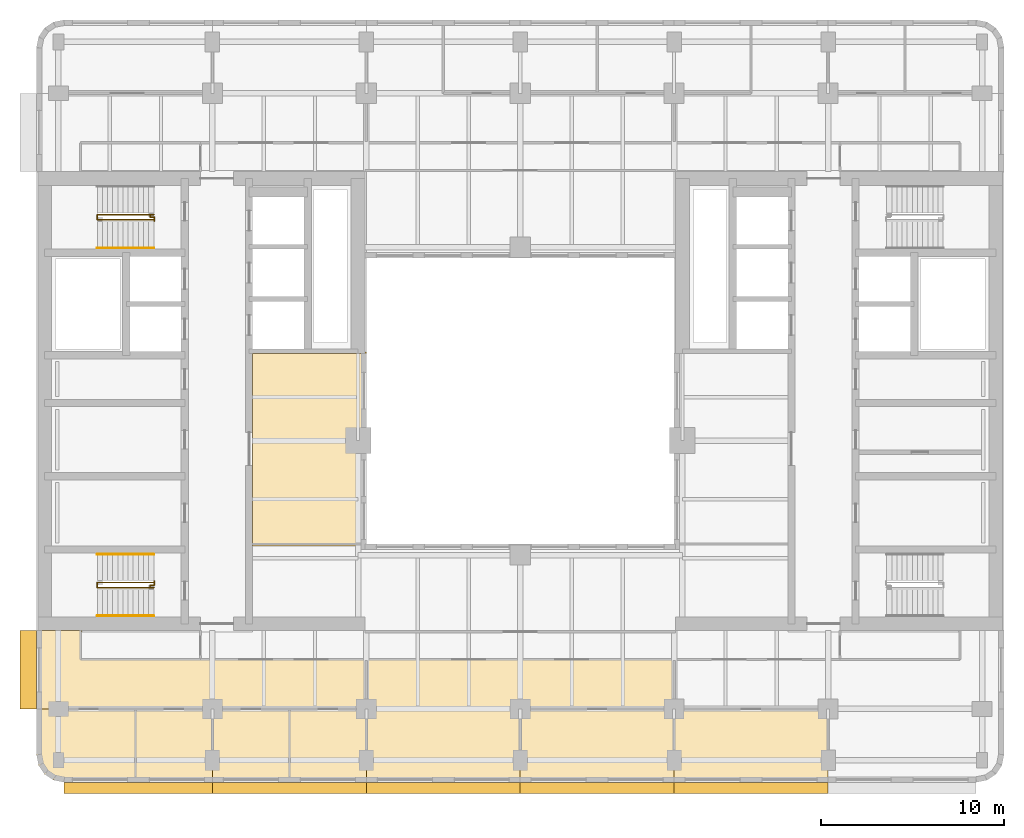
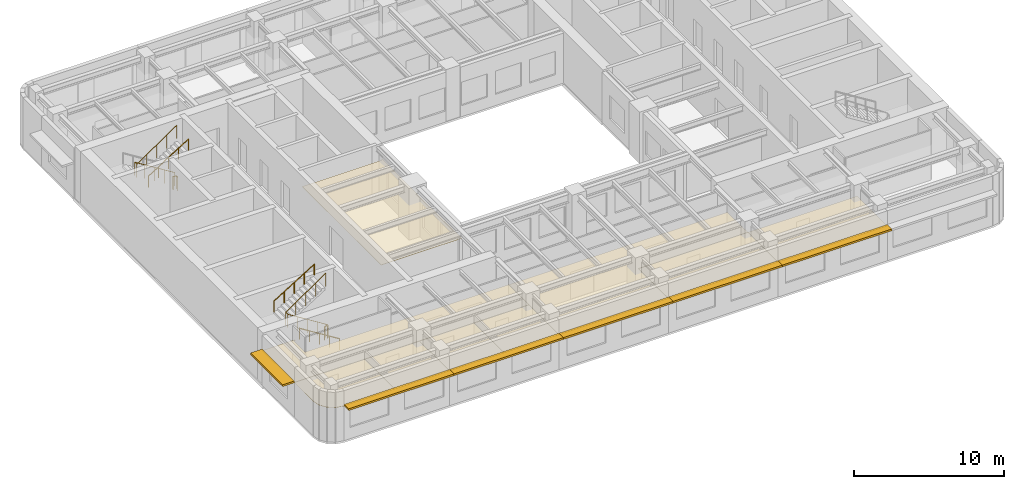
# One storey, part 9 of 11: 9 coverings, 7 railings, 6 shading devices.
"""IFC4 building model written with IfcOpenShell, lengths in metres."""

import ifcopenshell
import ifcopenshell.guid

model = None  # the IFC model being written
_history = None  # IfcOwnerHistory: only IFC2X3 demands one
_inside = {}  # id of a spatial element -> (the spatial element, [elements in it])
_under = {}  # id of a project, library or spatial element -> (it, [spatial elements below it])
_declared = {}  # id of a project -> (the project, [libraries it declares])
_typed = {}  # id of a type object -> (the type object, [elements of that type])
_made_of = {}  # id of a material, layer set ... -> (it, [elements and type objects made of it])


def new_model(schema):
    """Start an empty IFC model of exactly this schema.

    Asked for "IFC4X3", IfcOpenShell would pick the latest addendum, in which some entities
    have other attributes; the version numbers below select the first issue.
    IFC2X3 requires an IfcOwnerHistory on every rooted entity: one is made here for all.
    """
    global model, _history
    if schema == "IFC4X3":
        model = ifcopenshell.file(schema_version=(4, 3, 0, 0))
    else:
        model = ifcopenshell.file(schema=schema)
    _inside.clear()
    _under.clear()
    _declared.clear()
    _typed.clear()
    _made_of.clear()
    _history = None
    if model.schema == "IFC2X3":
        org = make("IfcOrganization", Name="unknown")
        user = make(
            "IfcPersonAndOrganization",
            ThePerson=make("IfcPerson", FamilyName="unknown"),
            TheOrganization=org,
        )
        app = make(
            "IfcApplication",
            ApplicationDeveloper=org,
            Version="unknown",
            ApplicationFullName="unknown",
            ApplicationIdentifier="unknown",
        )
        _history = make(
            "IfcOwnerHistory",
            OwningUser=user,
            OwningApplication=app,
            ChangeAction="ADDED",
            CreationDate=0,
        )
    return model


def make(cls, **values):
    """One entity of the class cls with the attributes given. An attribute that is None is left unset."""
    return model.create_entity(
        cls, **{name: value for name, value in values.items() if value is not None}
    )


def rooted(cls, **values):
    """An entity with a GlobalId (a new one), such as an element, a storey or a relation."""
    return make(cls, GlobalId=ifcopenshell.guid.new(), OwnerHistory=_history, **values)


def si_unit(unit_type, name, prefix=None):
    """IfcSIUnit, for example si_unit("LENGTHUNIT", "METRE", prefix="MILLI")."""
    return make("IfcSIUnit", UnitType=unit_type, Prefix=prefix, Name=name)


def assignment(units):
    """IfcUnitAssignment: the units of a project."""
    return None if units is None else make("IfcUnitAssignment", Units=units)


def point(xyz):
    """IfcCartesianPoint."""
    return None if xyz is None else make("IfcCartesianPoint", Coordinates=xyz)


def direction(xyz):
    """IfcDirection."""
    return None if xyz is None else make("IfcDirection", DirectionRatios=xyz)


def frame(location, z_axis=None, x_axis=None):
    """IfcAxis2Placement3D, a coordinate frame: its origin and axes. An axis left out is left unset."""
    return make(
        "IfcAxis2Placement3D",
        Location=point(location),
        Axis=direction(z_axis),
        RefDirection=direction(x_axis),
    )


def frame_2d(location, x_axis=None):
    """IfcAxis2Placement2D, a coordinate frame in the plane: its origin and x axis."""
    return make(
        "IfcAxis2Placement2D", Location=point(location), RefDirection=direction(x_axis)
    )


def origin():
    """The frame at (0, 0, 0) with its axes left unset."""
    return frame((0.0, 0.0, 0.0))


def origin_2d():
    """The frame at (0, 0) in the plane with its x axis left unset."""
    return frame_2d((0.0, 0.0))


def place(relative_to, where):
    """IfcLocalPlacement: puts the frame where relative to a parent placement (None: the world)."""
    return make(
        "IfcLocalPlacement", PlacementRelTo=relative_to, RelativePlacement=where
    )


def context(
    kind, dimensions, precision=None, world=None, true_north=None, identifier=None
):
    """IfcGeometricRepresentationContext, for example the 3D "Model" context."""
    return make(
        "IfcGeometricRepresentationContext",
        ContextIdentifier=identifier,
        ContextType=kind,
        CoordinateSpaceDimension=dimensions,
        Precision=precision,
        WorldCoordinateSystem=world,
        TrueNorth=true_north,
    )


def subcontext(parent, identifier, kind, view, scale=None):
    """IfcGeometricRepresentationSubContext, for example "Body" below "Model"."""
    return make(
        "IfcGeometricRepresentationSubContext",
        ContextIdentifier=identifier,
        ContextType=kind,
        ParentContext=parent,
        TargetScale=scale,
        TargetView=view,
    )


def project(units=None, contexts=None):
    """IfcProject with its units and contexts."""
    return rooted(
        "IfcProject",
        Name="project",
        RepresentationContexts=contexts,
        UnitsInContext=assignment(units),
    )


def spatial(cls, under=None, at=None, **own):
    """A site, building, storey or space (cls), placed at a placement, below another one or the project."""
    s = rooted(cls, ObjectPlacement=at, **own)
    if under is not None:
        _under.setdefault(under.id(), (under, []))[1].append(s)
    return s


def polyline(points):
    """IfcPolyline through the points."""
    return make("IfcPolyline", Points=[point(p) for p in points])


def profile(cls, at=None, kind="AREA", **sizes):
    """A parametric profile (cls). Its sizes go by their IFC names, for example OverallWidth=200.0."""
    return make(cls, ProfileType=kind, Position=at, **sizes)


def rectangle(**sizes):
    """IfcRectangleProfileDef."""
    return profile("IfcRectangleProfileDef", **sizes)


def circle(**sizes):
    """IfcCircleProfileDef."""
    return profile("IfcCircleProfileDef", **sizes)


def outline(outer, holes=None, kind="AREA"):
    """IfcArbitraryClosedProfileDef: a profile drawn as a closed curve; with holes, ...WithVoids."""
    if holes is None:
        return make("IfcArbitraryClosedProfileDef", ProfileType=kind, OuterCurve=outer)
    return make(
        "IfcArbitraryProfileDefWithVoids",
        ProfileType=kind,
        OuterCurve=outer,
        InnerCurves=holes,
    )


def extrude(swept, where, along, depth):
    """IfcExtrudedAreaSolid: the profile swept, set in the frame where, extruded along a direction by depth."""
    return make(
        "IfcExtrudedAreaSolid",
        SweptArea=swept,
        Position=where,
        ExtrudedDirection=direction(along),
        Depth=depth,
    )


def shape(context_of_items, identifier, shape_type, items):
    """IfcShapeRepresentation: the items that make up one representation, for example the "Body"."""
    return make(
        "IfcShapeRepresentation",
        ContextOfItems=context_of_items,
        RepresentationIdentifier=identifier,
        RepresentationType=shape_type,
        Items=items,
    )


def material(Name=None, Category=None):
    """IfcMaterial."""
    return make("IfcMaterial", Name=Name, Category=Category)


def layer(
    of_material, thickness, ventilated=None, Name=None, Category=None, Priority=None
):
    """IfcMaterialLayer: one layer of a wall or slab, of a material (None: an air gap)."""
    return make(
        "IfcMaterialLayer",
        Material=of_material,
        LayerThickness=thickness,
        IsVentilated=ventilated,
        Name=Name,
        Category=Category,
        Priority=Priority,
    )


def layer_set(layers, Name=None):
    """IfcMaterialLayerSet."""
    return make("IfcMaterialLayerSet", MaterialLayers=layers, LayerSetName=Name)


def made_of(thing, what):
    """Note that an element or type object is made of a material, layer set ...; save() writes the relation."""
    if what is not None:
        _made_of.setdefault(what.id(), (what, []))[1].append(thing)
    return thing


def type_object(cls, material=None, **own):
    """A type object (cls), such as IfcWallType, which elements share."""
    return made_of(rooted(cls, **own), material)


def element(
    cls,
    number,
    at=None,
    inside=None,
    cuts=None,
    type_object=None,
    material=None,
    context=None,
    identifier="Body",
    shape_type=None,
    held_by="IfcProductDefinitionShape",
    body=None,
    shapes=None,
    **own,
):
    """One element of the class cls, such as IfcWall. Its Tag is "e" and its number.

    at: its placement. inside: the storey or other place that contains it. cuts: it is an
    opening in that element (IfcRelVoidsElement). A single representation is given by context,
    identifier, shape_type and body (its items); several are given by shapes. held_by: the class
    of the entity that holds the representations. save() writes the other relations.
    """
    e = rooted(cls, Tag="e%d" % number, ObjectPlacement=at, **own)
    if body is not None:
        shapes = [shape(context, identifier, shape_type, body)]
    if shapes is not None:
        e.Representation = make(held_by, Representations=shapes)
    if inside is not None:
        _inside.setdefault(inside.id(), (inside, []))[1].append(e)
    if cuts is not None:
        rooted(
            "IfcRelVoidsElement", RelatingBuildingElement=cuts, RelatedOpeningElement=e
        )
    if type_object is not None:
        _typed.setdefault(type_object.id(), (type_object, []))[1].append(e)
    return made_of(e, material)


def aggregate(whole, parts):
    """IfcRelAggregates: a whole, such as a stair, and the parts it consists of."""
    return rooted("IfcRelAggregates", RelatingObject=whole, RelatedObjects=parts)


def save(model, path):
    """Write the relations noted so far, then the file.

    IfcRelAggregates (storeys below a building ...), IfcRelContainedInSpatialStructure (elements
    in a storey), IfcRelDefinesByType, IfcRelAssociatesMaterial and IfcRelDeclares: one each for
    every whole, place, type object, material and project.
    """
    for whole, parts in _under.values():
        aggregate(whole, parts)
    for where, things in _inside.values():
        rooted(
            "IfcRelContainedInSpatialStructure",
            RelatedElements=things,
            RelatingStructure=where,
        )
    for kind, things in _typed.values():
        rooted("IfcRelDefinesByType", RelatedObjects=things, RelatingType=kind)
    for what, things in _made_of.values():
        rooted("IfcRelAssociatesMaterial", RelatedObjects=things, RelatingMaterial=what)
    for by, libraries in _declared.values():
        rooted("IfcRelDeclares", RelatingContext=by, RelatedDefinitions=libraries)
    model.write(path)


model = new_model("IFC4")

# Units and contexts
model_context = context("Model", 3, precision=1e-05, world=origin(), true_north=direction((0.0, 1.0)))
body_context = subcontext(model_context, "Body", "Model", "MODEL_VIEW")
ifc_project = project(units=[si_unit("LENGTHUNIT", "METRE"), si_unit("AREAUNIT", "SQUARE_METRE"), si_unit("VOLUMEUNIT", "CUBIC_METRE"), si_unit("PLANEANGLEUNIT", "RADIAN"), si_unit("MASSUNIT", "GRAM", prefix="KILO")], contexts=[model_context])

# Site, building, storey
site_placement = place(None, origin())
site = spatial("IfcSite", under=ifc_project, at=site_placement, CompositionType="ELEMENT")
building_placement = place(site_placement, origin())
building = spatial("IfcBuilding", under=site, at=building_placement, Name="Claustro Exchange Tower", CompositionType="ELEMENT")
storey_placement = place(building_placement, frame((0.0, 0.0, 202.800048828125)))
storey = spatial("IfcBuildingStorey", under=building, at=storey_placement, Name="L46", CompositionType="ELEMENT", Elevation=202.800048828125)

# Coverings
ifc_material_1 = material(Name="Perforated metal ceiling tiles", Category="steel")
ifc_layer_1 = layer(ifc_material_1, 0.030029296875)
ifc_layer_set_1 = layer_set([ifc_layer_1], Name="Perforated metal ceiling tiles")
covering_type_1 = type_object("IfcCoveringType", Name="CL1 suspended metal ceiling", PredefinedType="CEILING", material=ifc_layer_set_1)
covering_1_placement = place(storey_placement, frame((0.0, 0.0, 2.800048828125)))
element("IfcCovering", 1, at=covering_1_placement, inside=storey, type_object=covering_type_1, Name="Ceiling CL1 L46-09", PredefinedType="CEILING", context=body_context, shape_type="SweptSolid", body=[
    extrude(outline(polyline([(1.199951171875, 11.10009765625), (1.199951171875, 12.60009765625), (1.294921875, 12.60009765625), (1.294921875, 12.675048828125), (-1.125, 12.675048828125), (-1.125, 12.695068359375), (-1.199951171875, 12.695068359375), (-1.199951171875, 8.39990234375), (16.800048828125, 8.39990234375), (16.800048828125, 11.10009765625), (1.199951171875, 11.10009765625)])), origin(), (0.0, 0.0, 1.0), 0.02978515625),
])
ifc_material_2 = material(Name="Gypsum board ceiling", Category="gypsum board")
ifc_layer_2 = layer(ifc_material_2, 0.02490234375)
ifc_layer_set_2 = layer_set([ifc_layer_2], Name="Gypsum board ceiling")
covering_type_2 = type_object("IfcCoveringType", Name="CL2 plasterboard ceiling", PredefinedType="CEILING", material=ifc_layer_set_2)
covering_2_placement = place(storey_placement, frame((0.0, 0.0, 2.800048828125)))
element("IfcCovering", 2, at=covering_2_placement, inside=storey, type_object=covering_type_2, Name="Ceiling CL2 L46-01", PredefinedType="CEILING", context=body_context, shape_type="SweptSolid", body=[
    extrude(outline(polyline([(-1.085693359375, 5.325927734375), (-0.7607421875, 4.83935546875), (-0.27392578125, 4.51416015625), (0.300048828125, 4.39990234375), (4.199951171875, 4.39990234375), (4.199951171875, 8.39990234375), (-1.199951171875, 8.39990234375), (-1.199951171875, 5.89990234375), (-1.085693359375, 5.325927734375)])), origin(), (0.0, 0.0, 1.0), 0.02490234375),
])
covering_3_placement = place(storey_placement, frame((0.0, 0.0, 2.800048828125)))
element("IfcCovering", 3, at=covering_3_placement, inside=storey, type_object=covering_type_2, Name="Ceiling CL2 L46-02", PredefinedType="CEILING", context=body_context, shape_type="SweptSolid", body=[
    extrude(outline(polyline([(4.199951171875, 4.39990234375), (8.39990234375, 4.39990234375), (8.39990234375, 8.39990234375), (4.199951171875, 8.39990234375), (4.199951171875, 4.39990234375)])), origin(), (0.0, 0.0, 1.0), 0.02490234375),
])
covering_4_placement = place(storey_placement, frame((0.0, 0.0, 2.800048828125)))
element("IfcCovering", 4, at=covering_4_placement, inside=storey, type_object=covering_type_2, Name="Ceiling CL2 L46-03", PredefinedType="CEILING", context=body_context, shape_type="SweptSolid", body=[
    extrude(outline(polyline([(8.39990234375, 4.39990234375), (12.60009765625, 4.39990234375), (12.60009765625, 8.39990234375), (8.39990234375, 8.39990234375), (8.39990234375, 4.39990234375)])), origin(), (0.0, 0.0, 1.0), 0.02490234375),
])
covering_5_placement = place(storey_placement, frame((0.0, 0.0, 2.800048828125)))
element("IfcCovering", 5, at=covering_5_placement, inside=storey, type_object=covering_type_2, Name="Ceiling CL2 L46-04", PredefinedType="CEILING", context=body_context, shape_type="SweptSolid", body=[
    extrude(outline(polyline([(12.60009765625, 4.39990234375), (16.800048828125, 4.39990234375), (16.800048828125, 8.39990234375), (12.60009765625, 8.39990234375), (12.60009765625, 4.39990234375)])), origin(), (0.0, 0.0, 1.0), 0.02490234375),
])
covering_6_placement = place(storey_placement, frame((0.0, 0.0, 2.800048828125)))
element("IfcCovering", 6, at=covering_6_placement, inside=storey, type_object=covering_type_2, Name="Ceiling CL2 L46-05", PredefinedType="CEILING", context=body_context, shape_type="SweptSolid", body=[
    extrude(outline(polyline([(25.199951171875, 4.39990234375), (33.60009765625, 4.39990234375), (33.60009765625, 8.39990234375), (25.199951171875, 8.39990234375), (25.199951171875, 4.39990234375)])), origin(), (0.0, 0.0, 1.0), 0.02490234375),
])
covering_7_placement = place(storey_placement, frame((0.0, 0.0, 2.800048828125)))
element("IfcCovering", 7, at=covering_7_placement, inside=storey, type_object=covering_type_2, Name="Ceiling CL2 L46-06", PredefinedType="CEILING", context=body_context, shape_type="SweptSolid", body=[
    extrude(outline(polyline([(33.60009765625, 4.39990234375), (42.0, 4.39990234375), (42.0, 8.39990234375), (33.60009765625, 8.39990234375), (33.60009765625, 4.39990234375)])), origin(), (0.0, 0.0, 1.0), 0.02490234375),
])
covering_8_placement = place(storey_placement, frame((0.0, 0.0, 2.800048828125)))
element("IfcCovering", 8, at=covering_8_placement, inside=storey, type_object=covering_type_2, Name="Ceiling CL2 L46-07", PredefinedType="CEILING", context=body_context, shape_type="SweptSolid", body=[
    extrude(outline(polyline([(16.800048828125, 4.39990234375), (25.199951171875, 4.39990234375), (25.199951171875, 8.39990234375), (33.60009765625, 8.39990234375), (33.60009765625, 11.10009765625), (16.800048828125, 11.10009765625), (16.800048828125, 8.39990234375), (16.800048828125, 4.39990234375)])), origin(), (0.0, 0.0, 1.0), 0.02490234375),
])
covering_9_placement = place(storey_placement, frame((0.0, 0.0, 2.800048828125)))
element("IfcCovering", 9, at=covering_9_placement, inside=storey, type_object=covering_type_2, Name="Ceiling CL2 L46-14", PredefinedType="CEILING", context=body_context, shape_type="SweptSolid", body=[
    extrude(outline(polyline([(10.60009765625, 27.800048828125), (10.60009765625, 17.304931640625), (16.800048828125, 17.304931640625), (16.800048828125, 27.89501953125), (16.72509765625, 27.89501953125), (16.72509765625, 27.800048828125), (10.60009765625, 27.800048828125)])), origin(), (0.0, 0.0, 1.0), 0.02490234375),
])

# Railings
ifc_material_3 = material(Name="Steel balustrade, painted", Category="steel")
railing_type_1 = type_object("IfcRailingType", Name="GR2 1100 steel stair guard", PredefinedType="GUARDRAIL", material=ifc_material_3)
railing_1_placement = place(storey_placement, frame((5.199951171875, 15.02490234375, 0.175048828125)))
element("IfcRailing", 10, at=railing_1_placement, inside=storey, type_object=railing_type_1, Name="Stair well guard GR2 stair STWA L46", PredefinedType="GUARDRAIL", context=body_context, shape_type="SweptSolid", body=[
    extrude(circle(Radius=0.02392578125, at=origin_2d()), frame((0.0, 0.0, 1.076171875), z_axis=(-0.848009633417, 0.0, 0.529980812513), x_axis=(0.0, -1.0, 0.0)), (0.0, 0.0, 1.0), 3.6318359375),
    extrude(circle(Radius=0.02392578125, at=origin_2d()), frame((-3.079833984375, 0.0, 3.0009765625), z_axis=(0.0, 1.0, 0.0), x_axis=(-1.0, 0.0, 0.0)), (0.0, 0.0, 1.0), 0.275146484375),
    extrude(circle(Radius=0.02392578125, at=origin_2d()), frame((-3.079833984375, 0.275146484375, 3.0009765625), z_axis=(0.826201015165, 0.0, 0.563375436579), x_axis=(0.0, 1.0, 0.0)), (0.0, 0.0, 1.0), 3.727783203125),
    extrude(circle(Radius=0.02099609375, at=origin_2d()), origin(), (0.0, 0.0, 1.0), 1.052001953125),
    extrude(circle(Radius=0.02099609375, at=origin_2d()), frame((-0.77001953125, 0.0, 0.481201171875)), (0.0, 0.0, 1.0), 1.052001953125),
    extrude(circle(Radius=0.02099609375, at=origin_2d()), frame((-1.5400390625, 0.0, 0.96240234375)), (0.0, 0.0, 1.0), 1.052001953125),
    extrude(circle(Radius=0.02099609375, at=origin_2d()), frame((-2.309814453125, 0.0, 1.443603515625)), (0.0, 0.0, 1.0), 1.052001953125),
    extrude(circle(Radius=0.02099609375, at=origin_2d()), frame((-3.079833984375, 0.0, 1.9248046875)), (0.0, 0.0, 1.0), 1.052001953125),
    extrude(circle(Radius=0.02099609375, at=origin_2d()), frame((-3.079833984375, 0.275146484375, 1.9248046875)), (0.0, 0.0, 1.0), 1.052001953125),
    extrude(circle(Radius=0.02099609375, at=origin_2d()), frame((-2.309814453125, 0.275146484375, 2.44970703125)), (0.0, 0.0, 1.0), 1.052001953125),
    extrude(circle(Radius=0.02099609375, at=origin_2d()), frame((-1.5400390625, 0.275146484375, 2.974853515625)), (0.0, 0.0, 1.0), 1.052001953125),
    extrude(circle(Radius=0.02099609375, at=origin_2d()), frame((-0.77001953125, 0.275146484375, 3.5)), (0.0, 0.0, 1.0), 1.052001953125),
    extrude(circle(Radius=0.02099609375, at=origin_2d()), frame((0.0, 0.275146484375, 4.02490234375)), (0.0, 0.0, 1.0), 1.052001953125),
])
railing_2_placement = place(storey_placement, frame((5.0, 15.094970703125, 0.0)))
element("IfcRailing", 11, at=railing_2_placement, inside=storey, type_object=railing_type_1, Name="Stair guard GR2 STWA L46", PredefinedType="GUARDRAIL", context=body_context, shape_type="SweptSolid", body=[
    extrude(circle(Radius=0.02392578125, at=origin_2d()), frame((0.0, 0.0, 1.076171875), z_axis=(0.0, 1.0, 0.0), x_axis=(-1.0, 0.0, 0.0)), (0.0, 0.0, 1.0), 0.067626953125),
    extrude(circle(Radius=0.02392578125, at=origin_2d()), frame((0.0, 0.067626953125, 1.076171875), z_axis=(1.0, 0.0, 0.0), x_axis=(0.0, 1.0, 0.0)), (0.0, 0.0, 1.0), 0.22509765625),
    extrude(circle(Radius=0.02392578125, at=origin_2d()), frame((0.22509765625, 0.067626953125, 1.076171875), z_axis=(0.0, 1.0, 0.0), x_axis=(-1.0, 0.0, 0.0)), (0.0, 0.0, 1.0), 0.21728515625),
    extrude(circle(Radius=0.02099609375, at=origin_2d()), origin(), (0.0, 0.0, 1.0), 1.052001953125),
    extrude(circle(Radius=0.02099609375, at=origin_2d()), frame((0.0, 0.067626953125, 0.0)), (0.0, 0.0, 1.0), 1.052001953125),
    extrude(circle(Radius=0.02099609375, at=origin_2d()), frame((0.22509765625, 0.067626953125, 0.0)), (0.0, 0.0, 1.0), 1.052001953125),
    extrude(circle(Radius=0.02099609375, at=origin_2d()), frame((0.22509765625, 0.284912109375, 0.0)), (0.0, 0.0, 1.0), 1.052001953125),
])
railing_3_placement = place(storey_placement, frame((5.199951171875, 35.375, 0.175048828125)))
element("IfcRailing", 12, at=railing_3_placement, inside=storey, type_object=railing_type_1, Name="Stair well guard GR2 stair STWB L46", PredefinedType="GUARDRAIL", context=body_context, shape_type="SweptSolid", body=[
    extrude(circle(Radius=0.02392578125, at=origin_2d()), frame((0.0, 0.0, 1.076171875), z_axis=(-0.848009633417, 0.0, 0.529980812513), x_axis=(0.0, -1.0, 0.0)), (0.0, 0.0, 1.0), 3.6318359375),
    extrude(circle(Radius=0.02392578125, at=origin_2d()), frame((-3.079833984375, 0.0, 3.0009765625), z_axis=(0.0, -1.0, 0.0), x_axis=(1.0, 0.0, 0.0)), (0.0, 0.0, 1.0), 0.27490234375),
    extrude(circle(Radius=0.02392578125, at=origin_2d()), frame((-3.079833984375, -0.27490234375, 3.0009765625), z_axis=(0.826201015165, 0.0, 0.563375436579), x_axis=(0.0, 1.0, 0.0)), (0.0, 0.0, 1.0), 3.727783203125),
    extrude(circle(Radius=0.02099609375, at=origin_2d()), origin(), (0.0, 0.0, 1.0), 1.052001953125),
    extrude(circle(Radius=0.02099609375, at=origin_2d()), frame((-0.77001953125, 0.0, 0.481201171875)), (0.0, 0.0, 1.0), 1.052001953125),
    extrude(circle(Radius=0.02099609375, at=origin_2d()), frame((-1.5400390625, 0.0, 0.96240234375)), (0.0, 0.0, 1.0), 1.052001953125),
    extrude(circle(Radius=0.02099609375, at=origin_2d()), frame((-2.309814453125, 0.0, 1.443603515625)), (0.0, 0.0, 1.0), 1.052001953125),
    extrude(circle(Radius=0.02099609375, at=origin_2d()), frame((-3.079833984375, 0.0, 1.9248046875)), (0.0, 0.0, 1.0), 1.052001953125),
    extrude(circle(Radius=0.02099609375, at=origin_2d()), frame((-3.079833984375, -0.27490234375, 1.9248046875)), (0.0, 0.0, 1.0), 1.052001953125),
    extrude(circle(Radius=0.02099609375, at=origin_2d()), frame((-2.309814453125, -0.27490234375, 2.44970703125)), (0.0, 0.0, 1.0), 1.052001953125),
    extrude(circle(Radius=0.02099609375, at=origin_2d()), frame((-1.5400390625, -0.27490234375, 2.974853515625)), (0.0, 0.0, 1.0), 1.052001953125),
    extrude(circle(Radius=0.02099609375, at=origin_2d()), frame((-0.77001953125, -0.27490234375, 3.5)), (0.0, 0.0, 1.0), 1.052001953125),
    extrude(circle(Radius=0.02099609375, at=origin_2d()), frame((0.0, -0.27490234375, 4.02490234375)), (0.0, 0.0, 1.0), 1.052001953125),
])
railing_4_placement = place(storey_placement, frame((5.0, 35.304931640625, 0.0)))
element("IfcRailing", 13, at=railing_4_placement, inside=storey, type_object=railing_type_1, Name="Stair guard GR2 STWB L46", PredefinedType="GUARDRAIL", context=body_context, shape_type="SweptSolid", body=[
    extrude(circle(Radius=0.02392578125, at=origin_2d()), frame((0.0, 0.0, 1.076171875), z_axis=(0.0, -1.0, 0.0), x_axis=(1.0, 0.0, 0.0)), (0.0, 0.0, 1.0), 0.0673828125),
    extrude(circle(Radius=0.02392578125, at=origin_2d()), frame((0.0, -0.0673828125, 1.076171875), z_axis=(1.0, 0.0, 0.0), x_axis=(0.0, 1.0, 0.0)), (0.0, 0.0, 1.0), 0.22509765625),
    extrude(circle(Radius=0.02392578125, at=origin_2d()), frame((0.22509765625, -0.0673828125, 1.076171875), z_axis=(0.0, -1.0, 0.0), x_axis=(1.0, 0.0, 0.0)), (0.0, 0.0, 1.0), 0.217529296875),
    extrude(circle(Radius=0.02099609375, at=origin_2d()), origin(), (0.0, 0.0, 1.0), 1.052001953125),
    extrude(circle(Radius=0.02099609375, at=origin_2d()), frame((0.0, -0.0673828125, 0.0)), (0.0, 0.0, 1.0), 1.052001953125),
    extrude(circle(Radius=0.02099609375, at=origin_2d()), frame((0.22509765625, -0.0673828125, 0.0)), (0.0, 0.0, 1.0), 1.052001953125),
    extrude(circle(Radius=0.02099609375, at=origin_2d()), frame((0.22509765625, -0.284912109375, 0.0)), (0.0, 0.0, 1.0), 1.052001953125),
])
ifc_material_4 = material(Name="Stainless steel tube", Category="steel")
railing_type_2 = type_object("IfcRailingType", Name="HR1 900 stair handrail", PredefinedType="HANDRAIL", material=ifc_material_4)
railing_5_placement = place(storey_placement, frame((5.199951171875, 13.485107421875, 0.175048828125)))
element("IfcRailing", 14, at=railing_5_placement, inside=storey, type_object=railing_type_2, Name="Handrail HR1 stair STWA L46", PredefinedType="HANDRAIL", context=body_context, shape_type="SweptSolid", body=[
    extrude(circle(Radius=0.02392578125, at=origin_2d()), frame((0.0, 0.0, 0.8759765625), z_axis=(-0.848009633417, 0.0, 0.529980812513), x_axis=(0.0, -1.0, 0.0)), (0.0, 0.0, 1.0), 3.6318359375),
    extrude(circle(Radius=0.02099609375, at=origin_2d()), origin(), (0.0, 0.0, 1.0), 0.851806640625),
    extrude(circle(Radius=0.02099609375, at=origin_2d()), frame((-0.77001953125, 0.0, 0.481201171875)), (0.0, 0.0, 1.0), 0.851806640625),
    extrude(circle(Radius=0.02099609375, at=origin_2d()), frame((-1.5400390625, 0.0, 0.96240234375)), (0.0, 0.0, 1.0), 0.851806640625),
    extrude(circle(Radius=0.02099609375, at=origin_2d()), frame((-2.309814453125, 0.0, 1.443603515625)), (0.0, 0.0, 1.0), 0.851806640625),
    extrude(circle(Radius=0.02099609375, at=origin_2d()), frame((-3.079833984375, 0.0, 1.9248046875)), (0.0, 0.0, 1.0), 0.851806640625),
])
for number, where, name in (
    (15, (2.1201171875, 16.840087890625, 2.27490234375), "Handrail HR1 stair STWA L46"),
    (16, (2.1201171875, 33.56005859375, 2.27490234375), "Handrail HR1 stair STWB L46"),
):
    element("IfcRailing", number, at=place(storey_placement, frame(where)), inside=storey, type_object=railing_type_2, Name=name, PredefinedType="HANDRAIL", context=body_context, shape_type="SweptSolid", body=[
        extrude(circle(Radius=0.02392578125, at=origin_2d()), frame((0.0, 0.0, 0.8759765625), z_axis=(0.847979421464, 0.0, 0.530029150871), x_axis=(0.0, 1.0, 0.0)), (0.0, 0.0, 1.0), 3.632080078125),
        extrude(circle(Radius=0.02099609375, at=origin_2d()), origin(), (0.0, 0.0, 1.0), 0.851806640625),
        extrude(circle(Radius=0.02099609375, at=origin_2d()), frame((0.77001953125, 0.0, 0.481201171875)), (0.0, 0.0, 1.0), 0.851806640625),
        extrude(circle(Radius=0.02099609375, at=origin_2d()), frame((1.5400390625, 0.0, 0.96240234375)), (0.0, 0.0, 1.0), 0.851806640625),
        extrude(circle(Radius=0.02099609375, at=origin_2d()), frame((2.309814453125, 0.0, 1.44384765625)), (0.0, 0.0, 1.0), 0.851806640625),
        extrude(circle(Radius=0.02099609375, at=origin_2d()), frame((3.079833984375, 0.0, 1.925048828125)), (0.0, 0.0, 1.0), 0.851806640625),
    ])

# Shading devices
ifc_material_5 = material(Name="Concrete HA-40 (C40/50), precast, white cement, acid-etched", Category="concrete")
ifc_layer_3 = layer(ifc_material_5, 0.14990234375)
ifc_layer_set_3 = layer_set([ifc_layer_3], Name="Concrete HA-40 (C40/50), precast, white cement, acid-etched")
shading_device_type_1 = type_object("IfcShadingDeviceType", Name="SS1 600 precast concrete SUNSHADE", PredefinedType="SHUTTER", material=ifc_layer_set_3)
for number, where, z_axis, x_axis, name in (
    (17, (37.800048828125, 4.10009765625, 2.800048828125), (0.0, 0.0, 1.0), (-1.0, 0.0, 0.0), "Precast SUNSHADE SS1 L46"),
    (18, (29.39990234375, 4.10009765625, 2.800048828125), (0.0, 0.0, 1.0), (-1.0, 0.0, 0.0), "Precast SUNSHADE SS1 L46"),
    (19, (21.0, 4.10009765625, 2.800048828125), (0.0, 0.0, 1.0), (-1.0, 0.0, 0.0), "Precast SUNSHADE SS1 L46"),
    (20, (12.60009765625, 4.10009765625, 2.800048828125), (0.0, 0.0, 1.0), (-1.0, 0.0, 0.0), "Precast SUNSHADE SS1 L46"),
):
    element("IfcShadingDevice", number, at=place(storey_placement, frame(where, z_axis=z_axis, x_axis=x_axis)), inside=storey, type_object=shading_device_type_1, Name=name, PredefinedType="SHUTTER", context=body_context, shape_type="SweptSolid", body=[
        extrude(rectangle(XDim=8.39990234375, YDim=0.60009765625, at=origin_2d()), origin(), (0.0, 0.0, 1.0), 0.14990234375),
    ])
shading_device_1_placement = place(storey_placement, frame((4.357421875, 4.10009765625, 2.800048828125), z_axis=(0.0, 0.0, 1.0), x_axis=(-1.0, 0.0, 0.0)))
element("IfcShadingDevice", 21, at=shading_device_1_placement, inside=storey, type_object=shading_device_type_1, Name="Precast SUNSHADE SS1 L46", PredefinedType="SHUTTER", context=body_context, shape_type="SweptSolid", body=[
    extrude(rectangle(XDim=8.085205078125, YDim=0.60009765625, at=origin_2d()), origin(), (0.0, 0.0, 1.0), 0.14990234375),
])
ifc_material_6 = material(Name="Concrete HA-40 (C40/50), precast, white cement, acid-etched", Category="concrete")
ifc_layer_4 = layer(ifc_material_6, 0.14990234375)
ifc_layer_set_4 = layer_set([ifc_layer_4], Name="Concrete HA-40 (C40/50), precast, white cement, acid-etched")
shading_device_type_2 = type_object("IfcShadingDeviceType", Name="SS2 900 precast concrete SUNSHADE", PredefinedType="SHUTTER", material=ifc_layer_set_4)
shading_device_2_placement = place(storey_placement, frame((-1.64990234375, 10.53759765625, 2.800048828125), z_axis=(0.0, 0.0, 1.0), x_axis=(0.0, 1.0, 0.0)))
element("IfcShadingDevice", 22, at=shading_device_2_placement, inside=storey, type_object=shading_device_type_2, Name="Precast SUNSHADE SS2 L46", PredefinedType="SHUTTER", context=body_context, shape_type="SweptSolid", body=[
    extrude(rectangle(XDim=4.27490234375, YDim=0.89990234375, at=origin_2d()), origin(), (0.0, 0.0, 1.0), 0.14990234375),
])

save(model, "model.ifc")
